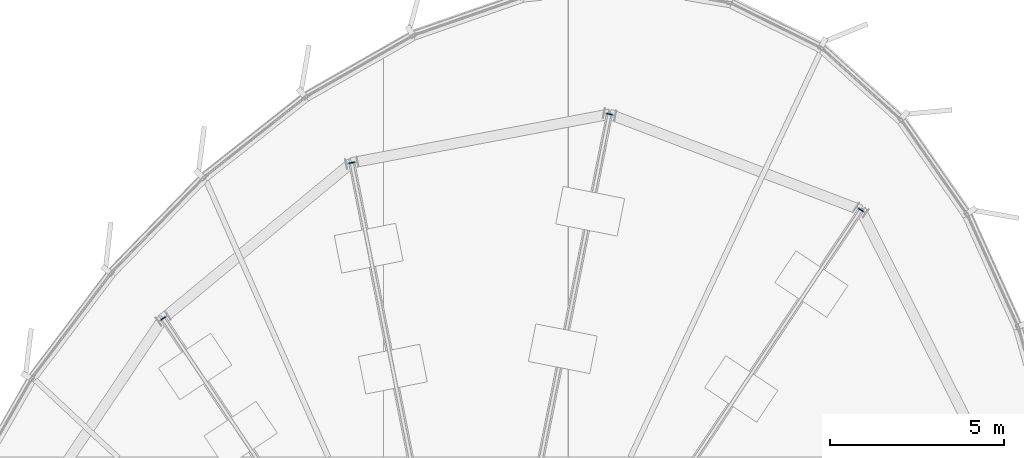
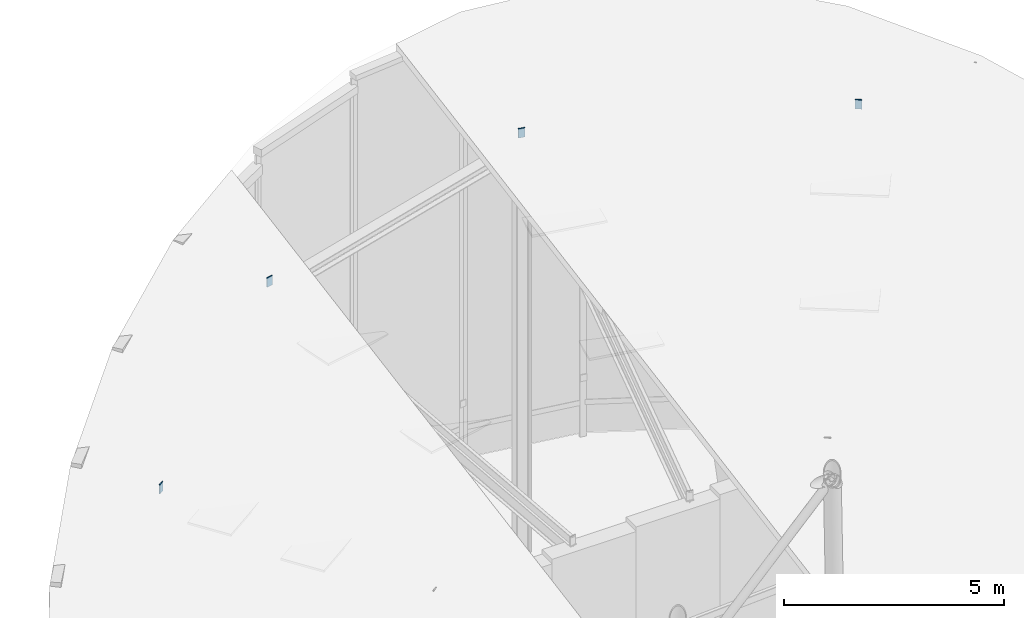
# One storey, part 31 of 36: 4 plates.
"""IFC4 building model written with IfcOpenShell, lengths in metres."""

import ifcopenshell
import ifcopenshell.guid

model = None  # the IFC model being written
_history = None  # IfcOwnerHistory: only IFC2X3 demands one
_inside = {}  # id of a spatial element -> (the spatial element, [elements in it])
_under = {}  # id of a project, library or spatial element -> (it, [spatial elements below it])
_declared = {}  # id of a project -> (the project, [libraries it declares])
_typed = {}  # id of a type object -> (the type object, [elements of that type])
_made_of = {}  # id of a material, layer set ... -> (it, [elements and type objects made of it])


def new_model(schema):
    """Start an empty IFC model of exactly this schema.

    Asked for "IFC4X3", IfcOpenShell would pick the latest addendum, in which some entities
    have other attributes; the version numbers below select the first issue.
    IFC2X3 requires an IfcOwnerHistory on every rooted entity: one is made here for all.
    """
    global model, _history
    if schema == "IFC4X3":
        model = ifcopenshell.file(schema_version=(4, 3, 0, 0))
    else:
        model = ifcopenshell.file(schema=schema)
    _inside.clear()
    _under.clear()
    _declared.clear()
    _typed.clear()
    _made_of.clear()
    _history = None
    if model.schema == "IFC2X3":
        org = make("IfcOrganization", Name="unknown")
        user = make(
            "IfcPersonAndOrganization",
            ThePerson=make("IfcPerson", FamilyName="unknown"),
            TheOrganization=org,
        )
        app = make(
            "IfcApplication",
            ApplicationDeveloper=org,
            Version="unknown",
            ApplicationFullName="unknown",
            ApplicationIdentifier="unknown",
        )
        _history = make(
            "IfcOwnerHistory",
            OwningUser=user,
            OwningApplication=app,
            ChangeAction="ADDED",
            CreationDate=0,
        )
    return model


def make(cls, **values):
    """One entity of the class cls with the attributes given. An attribute that is None is left unset."""
    return model.create_entity(
        cls, **{name: value for name, value in values.items() if value is not None}
    )


def rooted(cls, **values):
    """An entity with a GlobalId (a new one), such as an element, a storey or a relation."""
    return make(cls, GlobalId=ifcopenshell.guid.new(), OwnerHistory=_history, **values)


def si_unit(unit_type, name, prefix=None):
    """IfcSIUnit, for example si_unit("LENGTHUNIT", "METRE", prefix="MILLI")."""
    return make("IfcSIUnit", UnitType=unit_type, Prefix=prefix, Name=name)


def assignment(units):
    """IfcUnitAssignment: the units of a project."""
    return None if units is None else make("IfcUnitAssignment", Units=units)


def point(xyz):
    """IfcCartesianPoint."""
    return None if xyz is None else make("IfcCartesianPoint", Coordinates=xyz)


def direction(xyz):
    """IfcDirection."""
    return None if xyz is None else make("IfcDirection", DirectionRatios=xyz)


def frame(location, z_axis=None, x_axis=None):
    """IfcAxis2Placement3D, a coordinate frame: its origin and axes. An axis left out is left unset."""
    return make(
        "IfcAxis2Placement3D",
        Location=point(location),
        Axis=direction(z_axis),
        RefDirection=direction(x_axis),
    )


def frame_2d(location, x_axis=None):
    """IfcAxis2Placement2D, a coordinate frame in the plane: its origin and x axis."""
    return make(
        "IfcAxis2Placement2D", Location=point(location), RefDirection=direction(x_axis)
    )


def origin():
    """The frame at (0, 0, 0) with its axes left unset."""
    return frame((0.0, 0.0, 0.0))


def origin_2d():
    """The frame at (0, 0) in the plane with its x axis left unset."""
    return frame_2d((0.0, 0.0))


def place(relative_to, where):
    """IfcLocalPlacement: puts the frame where relative to a parent placement (None: the world)."""
    return make(
        "IfcLocalPlacement", PlacementRelTo=relative_to, RelativePlacement=where
    )


def context(
    kind, dimensions, precision=None, world=None, true_north=None, identifier=None
):
    """IfcGeometricRepresentationContext, for example the 3D "Model" context."""
    return make(
        "IfcGeometricRepresentationContext",
        ContextIdentifier=identifier,
        ContextType=kind,
        CoordinateSpaceDimension=dimensions,
        Precision=precision,
        WorldCoordinateSystem=world,
        TrueNorth=true_north,
    )


def subcontext(parent, identifier, kind, view, scale=None):
    """IfcGeometricRepresentationSubContext, for example "Body" below "Model"."""
    return make(
        "IfcGeometricRepresentationSubContext",
        ContextIdentifier=identifier,
        ContextType=kind,
        ParentContext=parent,
        TargetScale=scale,
        TargetView=view,
    )


def project(units=None, contexts=None):
    """IfcProject with its units and contexts."""
    return rooted(
        "IfcProject",
        Name="project",
        RepresentationContexts=contexts,
        UnitsInContext=assignment(units),
    )


def spatial(cls, under=None, at=None, **own):
    """A site, building, storey or space (cls), placed at a placement, below another one or the project."""
    s = rooted(cls, ObjectPlacement=at, **own)
    if under is not None:
        _under.setdefault(under.id(), (under, []))[1].append(s)
    return s


def profile(cls, at=None, kind="AREA", **sizes):
    """A parametric profile (cls). Its sizes go by their IFC names, for example OverallWidth=200.0."""
    return make(cls, ProfileType=kind, Position=at, **sizes)


def rectangle(**sizes):
    """IfcRectangleProfileDef."""
    return profile("IfcRectangleProfileDef", **sizes)


def extrude(swept, where, along, depth):
    """IfcExtrudedAreaSolid: the profile swept, set in the frame where, extruded along a direction by depth."""
    return make(
        "IfcExtrudedAreaSolid",
        SweptArea=swept,
        Position=where,
        ExtrudedDirection=direction(along),
        Depth=depth,
    )


def shape(context_of_items, identifier, shape_type, items):
    """IfcShapeRepresentation: the items that make up one representation, for example the "Body"."""
    return make(
        "IfcShapeRepresentation",
        ContextOfItems=context_of_items,
        RepresentationIdentifier=identifier,
        RepresentationType=shape_type,
        Items=items,
    )


def source(mapping_origin, context_of_items, identifier, shape_type, items):
    """IfcRepresentationMap: a shape defined once, which mapped items show again and again."""
    return make(
        "IfcRepresentationMap",
        MappingOrigin=mapping_origin,
        MappedRepresentation=shape(context_of_items, identifier, shape_type, items),
    )


def transform(
    local_origin,
    x_axis=None,
    y_axis=None,
    z_axis=None,
    scale=None,
    scale2=None,
    scale3=None,
    uniform=True,
):
    """IfcCartesianTransformationOperator3D, or its non-uniform kind. x_axis, y_axis, z_axis: its Axis1, 2, 3."""
    if uniform:
        return make(
            "IfcCartesianTransformationOperator3D",
            Axis1=direction(x_axis),
            Axis2=direction(y_axis),
            LocalOrigin=point(local_origin),
            Scale=scale,
            Axis3=direction(z_axis),
        )
    return make(
        "IfcCartesianTransformationOperator3DnonUniform",
        Axis1=direction(x_axis),
        Axis2=direction(y_axis),
        LocalOrigin=point(local_origin),
        Scale=scale,
        Axis3=direction(z_axis),
        Scale2=scale2,
        Scale3=scale3,
    )


def mapped(mapping_source, mapping_target):
    """IfcMappedItem: shows the shape of a source again, moved by a transform."""
    return make(
        "IfcMappedItem", MappingSource=mapping_source, MappingTarget=mapping_target
    )


def material(Name=None, Category=None):
    """IfcMaterial."""
    return make("IfcMaterial", Name=Name, Category=Category)


def layer(
    of_material, thickness, ventilated=None, Name=None, Category=None, Priority=None
):
    """IfcMaterialLayer: one layer of a wall or slab, of a material (None: an air gap)."""
    return make(
        "IfcMaterialLayer",
        Material=of_material,
        LayerThickness=thickness,
        IsVentilated=ventilated,
        Name=Name,
        Category=Category,
        Priority=Priority,
    )


def layer_set(layers, Name=None):
    """IfcMaterialLayerSet."""
    return make("IfcMaterialLayerSet", MaterialLayers=layers, LayerSetName=Name)


def made_of(thing, what):
    """Note that an element or type object is made of a material, layer set ...; save() writes the relation."""
    if what is not None:
        _made_of.setdefault(what.id(), (what, []))[1].append(thing)
    return thing


def type_object(cls, material=None, **own):
    """A type object (cls), such as IfcWallType, which elements share."""
    return made_of(rooted(cls, **own), material)


def element(
    cls,
    number,
    at=None,
    inside=None,
    cuts=None,
    type_object=None,
    material=None,
    context=None,
    identifier="Body",
    shape_type=None,
    held_by="IfcProductDefinitionShape",
    body=None,
    shapes=None,
    **own,
):
    """One element of the class cls, such as IfcWall. Its Tag is "e" and its number.

    at: its placement. inside: the storey or other place that contains it. cuts: it is an
    opening in that element (IfcRelVoidsElement). A single representation is given by context,
    identifier, shape_type and body (its items); several are given by shapes. held_by: the class
    of the entity that holds the representations. save() writes the other relations.
    """
    e = rooted(cls, Tag="e%d" % number, ObjectPlacement=at, **own)
    if body is not None:
        shapes = [shape(context, identifier, shape_type, body)]
    if shapes is not None:
        e.Representation = make(held_by, Representations=shapes)
    if inside is not None:
        _inside.setdefault(inside.id(), (inside, []))[1].append(e)
    if cuts is not None:
        rooted(
            "IfcRelVoidsElement", RelatingBuildingElement=cuts, RelatedOpeningElement=e
        )
    if type_object is not None:
        _typed.setdefault(type_object.id(), (type_object, []))[1].append(e)
    return made_of(e, material)


def aggregate(whole, parts):
    """IfcRelAggregates: a whole, such as a stair, and the parts it consists of."""
    return rooted("IfcRelAggregates", RelatingObject=whole, RelatedObjects=parts)


def save(model, path):
    """Write the relations noted so far, then the file.

    IfcRelAggregates (storeys below a building ...), IfcRelContainedInSpatialStructure (elements
    in a storey), IfcRelDefinesByType, IfcRelAssociatesMaterial and IfcRelDeclares: one each for
    every whole, place, type object, material and project.
    """
    for whole, parts in _under.values():
        aggregate(whole, parts)
    for where, things in _inside.values():
        rooted(
            "IfcRelContainedInSpatialStructure",
            RelatedElements=things,
            RelatingStructure=where,
        )
    for kind, things in _typed.values():
        rooted("IfcRelDefinesByType", RelatedObjects=things, RelatingType=kind)
    for what, things in _made_of.values():
        rooted("IfcRelAssociatesMaterial", RelatedObjects=things, RelatingMaterial=what)
    for by, libraries in _declared.values():
        rooted("IfcRelDeclares", RelatingContext=by, RelatedDefinitions=libraries)
    model.write(path)


model = new_model("IFC4")

# Units and contexts
model_context = context("Model", 3, precision=1e-05, world=origin(), true_north=direction((0.0, 1.0)))
body_context = subcontext(model_context, "Body", "Model", "MODEL_VIEW")
ifc_project = project(units=[si_unit("LENGTHUNIT", "METRE"), si_unit("AREAUNIT", "SQUARE_METRE"), si_unit("VOLUMEUNIT", "CUBIC_METRE"), si_unit("PLANEANGLEUNIT", "RADIAN"), si_unit("MASSUNIT", "GRAM", prefix="KILO"), si_unit("THERMODYNAMICTEMPERATUREUNIT", "KELVIN")], contexts=[model_context])

# Site, building, storey
site_placement = place(None, origin())
site = spatial("IfcSite", under=ifc_project, at=site_placement, CompositionType="ELEMENT")
building_placement = place(site_placement, origin())
building = spatial("IfcBuilding", under=site, at=building_placement, Name="Kethvar Cultural Tower", CompositionType="ELEMENT")
storey_placement = place(building_placement, frame((0.0, 0.0, 324.300048828125)))
storey = spatial("IfcBuildingStorey", under=building, at=storey_placement, Name="L86", CompositionType="ELEMENT", Elevation=324.300048828125)

# Plates
ifc_material = material(Name="Steel S355J2", Category="steel")
ifc_layer = layer(ifc_material, 0.02490234375, Name="Steel S355J2", Category="steel")
ifc_layer_set = layer_set([ifc_layer], Name="Steel S355J2 (25 mm)")
plate_type = type_object("IfcPlateType", Name="PL-EXTCAP-PUR", PredefinedType="SHEET", material=ifc_layer_set)
shared_shape = source(origin(), body_context, "Body", "SweptSolid", [
    extrude(rectangle(XDim=0.02490234375, YDim=0.159912109375, at=origin_2d()), origin(), (0.0, 0.0, 1.0), 0.260009765625),
])
for number, where, z_axis, x_axis, name in (
    (1, (57.875244140625, 44.375, 11.349609375), (0.0, 0.0, 1.0), (0.55557023302, 0.831469612303, 0.0), "Crown Glazing Bar End Cap GB-03-O"),
    (2, (50.645263671875, 47.131591796875, 11.4208984375), (0.0, 0.0, 1.0), (0.195090322016, 0.980785280403, 0.0), "Crown Glazing Bar End Cap GB-04-O"),
    (3, (43.23291015625, 45.732421875, 10.7509765625), (0.0, 0.0, 1.0), (-0.195090322016, 0.980785280403, 0.0), "Crown Glazing Bar End Cap GB-05-O"),
    (4, (37.8095703125, 41.255126953125, 9.6533203125), (0.0, 0.0, 1.0), (-0.55557023302, 0.831469612303, 0.0), "Crown Glazing Bar End Cap GB-06-O"),
):
    element("IfcPlate", number, at=place(storey_placement, frame(where, z_axis=z_axis, x_axis=x_axis)), inside=storey, type_object=plate_type, Name=name, PredefinedType="SHEET", context=body_context, shape_type="MappedRepresentation", body=[
        mapped(shared_shape, transform((0.0, 0.0, 0.0), scale=1.0)),
    ])

save(model, "model.ifc")
